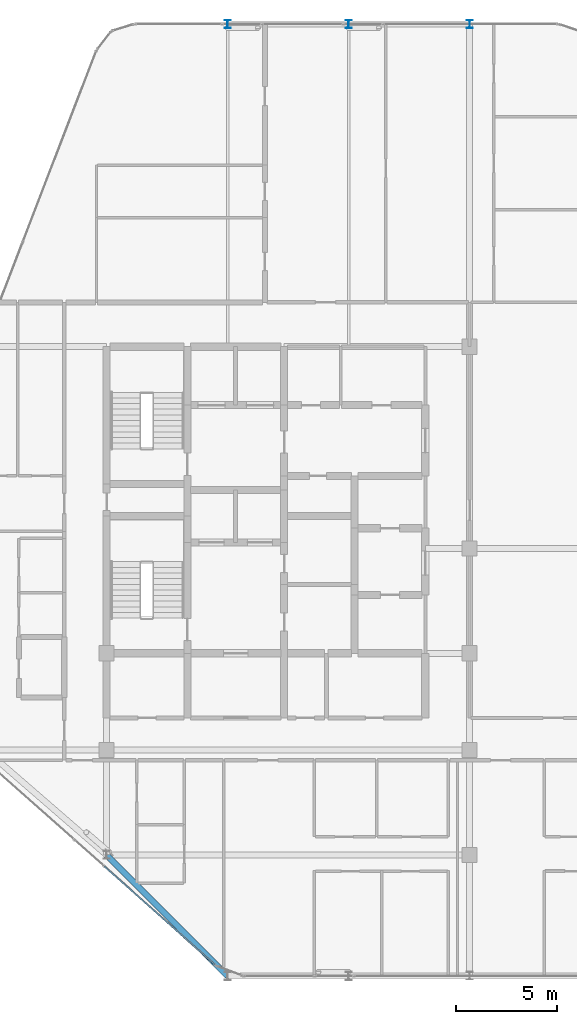
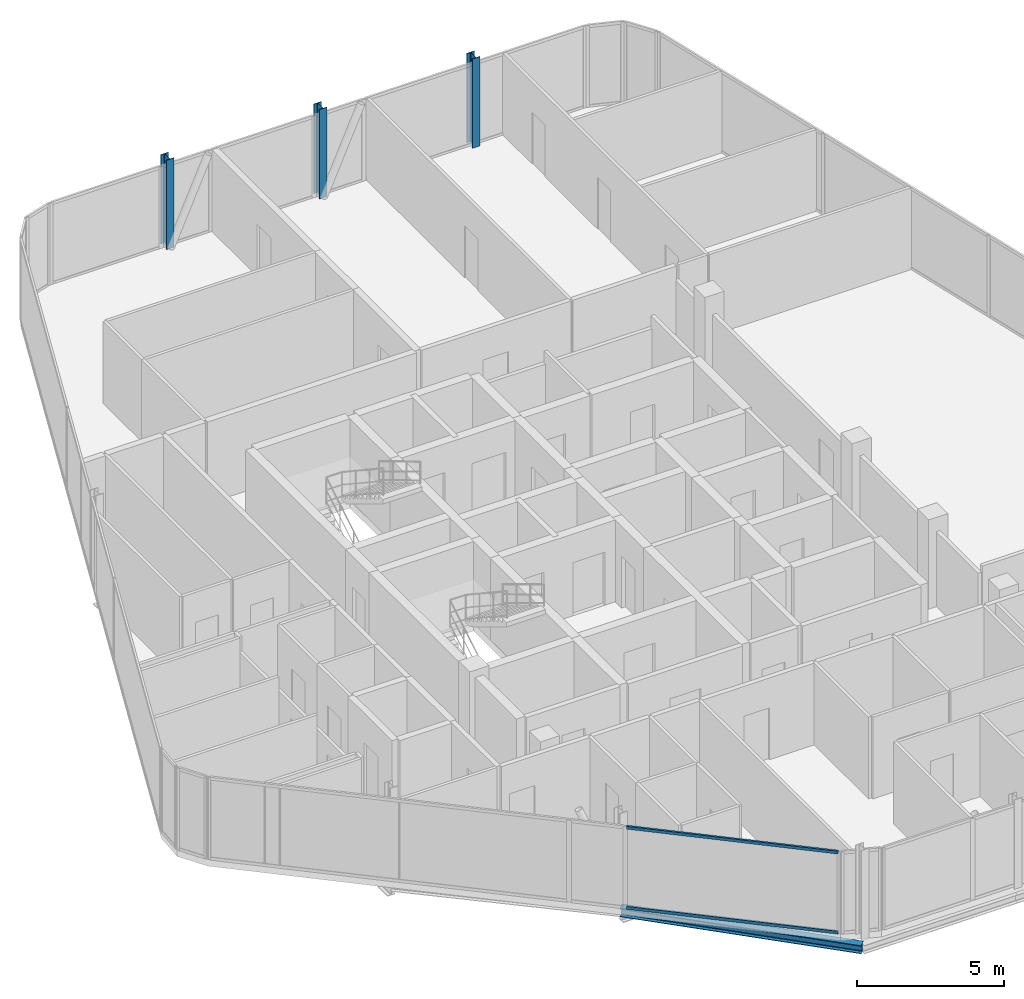
# One storey, part 2 of 27: 3 columns, 2 members, 1 beam, 1 element without a shape of its own.
"""IFC4 building model written with IfcOpenShell, lengths in metres."""

import ifcopenshell
import ifcopenshell.guid

model = None  # the IFC model being written
_history = None  # IfcOwnerHistory: only IFC2X3 demands one
_inside = {}  # id of a spatial element -> (the spatial element, [elements in it])
_under = {}  # id of a project, library or spatial element -> (it, [spatial elements below it])
_declared = {}  # id of a project -> (the project, [libraries it declares])
_typed = {}  # id of a type object -> (the type object, [elements of that type])
_made_of = {}  # id of a material, layer set ... -> (it, [elements and type objects made of it])


def new_model(schema):
    """Start an empty IFC model of exactly this schema.

    Asked for "IFC4X3", IfcOpenShell would pick the latest addendum, in which some entities
    have other attributes; the version numbers below select the first issue.
    IFC2X3 requires an IfcOwnerHistory on every rooted entity: one is made here for all.
    """
    global model, _history
    if schema == "IFC4X3":
        model = ifcopenshell.file(schema_version=(4, 3, 0, 0))
    else:
        model = ifcopenshell.file(schema=schema)
    _inside.clear()
    _under.clear()
    _declared.clear()
    _typed.clear()
    _made_of.clear()
    _history = None
    if model.schema == "IFC2X3":
        org = make("IfcOrganization", Name="unknown")
        user = make(
            "IfcPersonAndOrganization",
            ThePerson=make("IfcPerson", FamilyName="unknown"),
            TheOrganization=org,
        )
        app = make(
            "IfcApplication",
            ApplicationDeveloper=org,
            Version="unknown",
            ApplicationFullName="unknown",
            ApplicationIdentifier="unknown",
        )
        _history = make(
            "IfcOwnerHistory",
            OwningUser=user,
            OwningApplication=app,
            ChangeAction="ADDED",
            CreationDate=0,
        )
    return model


def make(cls, **values):
    """One entity of the class cls with the attributes given. An attribute that is None is left unset."""
    return model.create_entity(
        cls, **{name: value for name, value in values.items() if value is not None}
    )


def rooted(cls, **values):
    """An entity with a GlobalId (a new one), such as an element, a storey or a relation."""
    return make(cls, GlobalId=ifcopenshell.guid.new(), OwnerHistory=_history, **values)


def si_unit(unit_type, name, prefix=None):
    """IfcSIUnit, for example si_unit("LENGTHUNIT", "METRE", prefix="MILLI")."""
    return make("IfcSIUnit", UnitType=unit_type, Prefix=prefix, Name=name)


def assignment(units):
    """IfcUnitAssignment: the units of a project."""
    return None if units is None else make("IfcUnitAssignment", Units=units)


def point(xyz):
    """IfcCartesianPoint."""
    return None if xyz is None else make("IfcCartesianPoint", Coordinates=xyz)


def direction(xyz):
    """IfcDirection."""
    return None if xyz is None else make("IfcDirection", DirectionRatios=xyz)


def frame(location, z_axis=None, x_axis=None):
    """IfcAxis2Placement3D, a coordinate frame: its origin and axes. An axis left out is left unset."""
    return make(
        "IfcAxis2Placement3D",
        Location=point(location),
        Axis=direction(z_axis),
        RefDirection=direction(x_axis),
    )


def frame_2d(location, x_axis=None):
    """IfcAxis2Placement2D, a coordinate frame in the plane: its origin and x axis."""
    return make(
        "IfcAxis2Placement2D", Location=point(location), RefDirection=direction(x_axis)
    )


def origin():
    """The frame at (0, 0, 0) with its axes left unset."""
    return frame((0.0, 0.0, 0.0))


def origin_2d():
    """The frame at (0, 0) in the plane with its x axis left unset."""
    return frame_2d((0.0, 0.0))


def place(relative_to, where):
    """IfcLocalPlacement: puts the frame where relative to a parent placement (None: the world)."""
    return make(
        "IfcLocalPlacement", PlacementRelTo=relative_to, RelativePlacement=where
    )


def context(
    kind, dimensions, precision=None, world=None, true_north=None, identifier=None
):
    """IfcGeometricRepresentationContext, for example the 3D "Model" context."""
    return make(
        "IfcGeometricRepresentationContext",
        ContextIdentifier=identifier,
        ContextType=kind,
        CoordinateSpaceDimension=dimensions,
        Precision=precision,
        WorldCoordinateSystem=world,
        TrueNorth=true_north,
    )


def subcontext(parent, identifier, kind, view, scale=None):
    """IfcGeometricRepresentationSubContext, for example "Body" below "Model"."""
    return make(
        "IfcGeometricRepresentationSubContext",
        ContextIdentifier=identifier,
        ContextType=kind,
        ParentContext=parent,
        TargetScale=scale,
        TargetView=view,
    )


def project(units=None, contexts=None):
    """IfcProject with its units and contexts."""
    return rooted(
        "IfcProject",
        Name="project",
        RepresentationContexts=contexts,
        UnitsInContext=assignment(units),
    )


def spatial(cls, under=None, at=None, **own):
    """A site, building, storey or space (cls), placed at a placement, below another one or the project."""
    s = rooted(cls, ObjectPlacement=at, **own)
    if under is not None:
        _under.setdefault(under.id(), (under, []))[1].append(s)
    return s


def profile(cls, at=None, kind="AREA", **sizes):
    """A parametric profile (cls). Its sizes go by their IFC names, for example OverallWidth=200.0."""
    return make(cls, ProfileType=kind, Position=at, **sizes)


def hollow_rectangle(**sizes):
    """IfcRectangleHollowProfileDef."""
    return profile("IfcRectangleHollowProfileDef", **sizes)


def i_section(**sizes):
    """IfcIShapeProfileDef."""
    return profile("IfcIShapeProfileDef", **sizes)


def extrude(swept, where, along, depth):
    """IfcExtrudedAreaSolid: the profile swept, set in the frame where, extruded along a direction by depth."""
    return make(
        "IfcExtrudedAreaSolid",
        SweptArea=swept,
        Position=where,
        ExtrudedDirection=direction(along),
        Depth=depth,
    )


def shape(context_of_items, identifier, shape_type, items):
    """IfcShapeRepresentation: the items that make up one representation, for example the "Body"."""
    return make(
        "IfcShapeRepresentation",
        ContextOfItems=context_of_items,
        RepresentationIdentifier=identifier,
        RepresentationType=shape_type,
        Items=items,
    )


def material(Name=None, Category=None):
    """IfcMaterial."""
    return make("IfcMaterial", Name=Name, Category=Category)


def layer(
    of_material, thickness, ventilated=None, Name=None, Category=None, Priority=None
):
    """IfcMaterialLayer: one layer of a wall or slab, of a material (None: an air gap)."""
    return make(
        "IfcMaterialLayer",
        Material=of_material,
        LayerThickness=thickness,
        IsVentilated=ventilated,
        Name=Name,
        Category=Category,
        Priority=Priority,
    )


def layer_set(layers, Name=None):
    """IfcMaterialLayerSet."""
    return make("IfcMaterialLayerSet", MaterialLayers=layers, LayerSetName=Name)


def material_profile(
    of_material, cross_section, Name=None, Category=None, Priority=None
):
    """IfcMaterialProfile: a cross section and its material."""
    return make(
        "IfcMaterialProfile",
        Name=Name,
        Material=of_material,
        Profile=cross_section,
        Priority=Priority,
        Category=Category,
    )


def profile_set(profiles, Name=None, composite=None):
    """IfcMaterialProfileSet."""
    return make(
        "IfcMaterialProfileSet",
        Name=Name,
        MaterialProfiles=profiles,
        CompositeProfile=composite,
    )


def made_of(thing, what):
    """Note that an element or type object is made of a material, layer set ...; save() writes the relation."""
    if what is not None:
        _made_of.setdefault(what.id(), (what, []))[1].append(thing)
    return thing


def type_object(cls, material=None, **own):
    """A type object (cls), such as IfcWallType, which elements share."""
    return made_of(rooted(cls, **own), material)


def element(
    cls,
    number,
    at=None,
    inside=None,
    cuts=None,
    type_object=None,
    material=None,
    context=None,
    identifier="Body",
    shape_type=None,
    held_by="IfcProductDefinitionShape",
    body=None,
    shapes=None,
    **own,
):
    """One element of the class cls, such as IfcWall. Its Tag is "e" and its number.

    at: its placement. inside: the storey or other place that contains it. cuts: it is an
    opening in that element (IfcRelVoidsElement). A single representation is given by context,
    identifier, shape_type and body (its items); several are given by shapes. held_by: the class
    of the entity that holds the representations. save() writes the other relations.
    """
    e = rooted(cls, Tag="e%d" % number, ObjectPlacement=at, **own)
    if body is not None:
        shapes = [shape(context, identifier, shape_type, body)]
    if shapes is not None:
        e.Representation = make(held_by, Representations=shapes)
    if inside is not None:
        _inside.setdefault(inside.id(), (inside, []))[1].append(e)
    if cuts is not None:
        rooted(
            "IfcRelVoidsElement", RelatingBuildingElement=cuts, RelatedOpeningElement=e
        )
    if type_object is not None:
        _typed.setdefault(type_object.id(), (type_object, []))[1].append(e)
    return made_of(e, material)


def aggregate(whole, parts):
    """IfcRelAggregates: a whole, such as a stair, and the parts it consists of."""
    return rooted("IfcRelAggregates", RelatingObject=whole, RelatedObjects=parts)


def save(model, path):
    """Write the relations noted so far, then the file.

    IfcRelAggregates (storeys below a building ...), IfcRelContainedInSpatialStructure (elements
    in a storey), IfcRelDefinesByType, IfcRelAssociatesMaterial and IfcRelDeclares: one each for
    every whole, place, type object, material and project.
    """
    for whole, parts in _under.values():
        aggregate(whole, parts)
    for where, things in _inside.values():
        rooted(
            "IfcRelContainedInSpatialStructure",
            RelatedElements=things,
            RelatingStructure=where,
        )
    for kind, things in _typed.values():
        rooted("IfcRelDefinesByType", RelatedObjects=things, RelatingType=kind)
    for what, things in _made_of.values():
        rooted("IfcRelAssociatesMaterial", RelatedObjects=things, RelatingMaterial=what)
    for by, libraries in _declared.values():
        rooted("IfcRelDeclares", RelatingContext=by, RelatedDefinitions=libraries)
    model.write(path)


model = new_model("IFC4")

# Units and contexts
model_context = context("Model", 3, precision=1e-05, world=origin(), true_north=direction((0.0, 1.0)))
body_context = subcontext(model_context, "Body", "Model", "MODEL_VIEW")
ifc_project = project(units=[si_unit("LENGTHUNIT", "METRE"), si_unit("AREAUNIT", "SQUARE_METRE"), si_unit("VOLUMEUNIT", "CUBIC_METRE"), si_unit("PLANEANGLEUNIT", "RADIAN"), si_unit("MASSUNIT", "GRAM", prefix="KILO")], contexts=[model_context])

# Site, building, storey
site_placement = place(None, origin())
site = spatial("IfcSite", under=ifc_project, at=site_placement, CompositionType="ELEMENT")
building_placement = place(site_placement, origin())
building = spatial("IfcBuilding", under=site, at=building_placement, Name="Keshet Zoharim Tower", CompositionType="ELEMENT")
storey_placement = place(building_placement, frame((0.0, 0.0, 247.300048828125)))
storey = spatial("IfcBuildingStorey", under=building, at=storey_placement, Name="L61", CompositionType="ELEMENT", Elevation=247.300048828125)

# Columns
ifc_material_1 = material(Name="Steel S355", Category="steel")
ifc_material_profile_1 = material_profile(ifc_material_1, i_section(OverallWidth=0.300048828125, OverallDepth=0.39990234375, WebThickness=0.013427734375, FlangeThickness=0.02392578125, FilletRadius=0.027099609375, at=origin_2d()), Name="HEB400")
ifc_profile_set_1 = profile_set([ifc_material_profile_1], Name="Steel S355")
column_type = type_object("IfcColumnType", Name="COL-HEB400", PredefinedType="COLUMN", material=ifc_profile_set_1)
for number, where, z_axis, x_axis, name in (
    (1, (21.0, 53.89990234375, 0.0), (0.0, 0.0, 1.0), (1.0, 0.0, 0.0), "L61 Column 4L"),
    (2, (27.0, 53.89990234375, 0.0), (0.0, 0.0, 1.0), (1.0, 0.0, 0.0), "L61 Column 5L"),
    (3, (33.0, 53.89990234375, 0.0), (0.0, 0.0, 1.0), (1.0, 0.0, 0.0), "L61 Column 6L"),
):
    element("IfcColumn", number, at=place(storey_placement, frame(where, z_axis=z_axis, x_axis=x_axis)), inside=storey, type_object=column_type, Name=name, PredefinedType="COLUMN", context=body_context, shape_type="SweptSolid", body=[
        extrude(i_section(OverallWidth=0.300048828125, OverallDepth=0.39990234375, WebThickness=0.013427734375, FlangeThickness=0.02392578125, FilletRadius=0.027099609375, at=origin_2d()), origin(), (0.0, 0.0, 1.0), 3.699951171875),
    ])

# Beam
ifc_material_profile_2 = material_profile(ifc_material_1, i_section(OverallWidth=0.300048828125, OverallDepth=0.340087890625, WebThickness=0.011962890625, FlangeThickness=0.021484375, FilletRadius=0.027099609375, at=origin_2d()), Name="HEB340")
ifc_profile_set_2 = profile_set([ifc_material_profile_2], Name="Steel S355")
beam_type = type_object("IfcBeamType", Name="BM-SPN-HB340", PredefinedType="SPANDREL", material=ifc_profile_set_2)
beam_placement = place(storey_placement, frame((21.0, 6.699951171875, -0.47998046875), z_axis=(-0.707106781187, 0.707106781187, 0.0), x_axis=(-0.707106781187, -0.707106781187, 0.0)))
element("IfcBeam", 4, at=beam_placement, inside=storey, type_object=beam_type, Name="L61 Perimeter Spandrel Beam 01", PredefinedType="SPANDREL", context=body_context, shape_type="SweptSolid", body=[
    extrude(i_section(OverallWidth=0.300048828125, OverallDepth=0.340087890625, WebThickness=0.011962890625, FlangeThickness=0.021484375, FilletRadius=0.027099609375, at=origin_2d()), origin(), (0.0, 0.0, 1.0), 8.4853515625),
])

# Curtain wall, members
ifc_material_2 = material(Name="Aluminium 6063-T6", Category="aluminium")
ifc_layer = layer(ifc_material_2, 0.260009765625)
ifc_layer_set = layer_set([ifc_layer], Name="Aluminium 6063-T6")
curtain_wall_type = type_object("IfcCurtainWallType", Name="CW-SYS-06", PredefinedType="NOTDEFINED", material=ifc_layer_set)
curtain_wall_placement = place(storey_placement, origin())
curtain_wall = element("IfcCurtainWall", 5, at=curtain_wall_placement, inside=storey, type_object=curtain_wall_type, Name="L61 Unitised Curtain Wall 16", PredefinedType="NOTDEFINED")
ifc_material_profile_3 = material_profile(ifc_material_2, hollow_rectangle(XDim=0.074951171875, YDim=0.1201171875, WallThickness=0.00390625, at=origin_2d()), Name="TRN-75x120")
ifc_profile_set_3 = profile_set([ifc_material_profile_3], Name="Aluminium 6063-T6")
member_type = type_object("IfcMemberType", Name="CWT-T12", PredefinedType="USERDEFINED", material=ifc_profile_set_3)
member_1_placement = place(storey_placement, frame((20.379638671875, 7.25146484375, 0.034912109375), z_axis=(-0.747412985939, 0.664359713145, 0.0), x_axis=(-0.664359713145, -0.747412985939, 0.0)))
member_1 = element("IfcMember", 6, at=member_1_placement, type_object=member_type, Name="CW-06 transom 1.1", ObjectType="TRANSOM", PredefinedType="USERDEFINED", context=body_context, shape_type="SweptSolid", body=[
    extrude(hollow_rectangle(XDim=0.074951171875, YDim=0.1201171875, WallThickness=0.00390625, at=origin_2d()), origin(), (0.0, 0.0, 1.0), 7.345947265625),
])
member_2_placement = place(storey_placement, frame((20.379638671875, 7.25146484375, 3.35498046875), z_axis=(-0.747412985939, 0.664359713145, 0.0), x_axis=(-0.664359713145, -0.747412985939, 0.0)))
member_2 = element("IfcMember", 7, at=member_2_placement, type_object=member_type, Name="CW-06 transom 1.2", ObjectType="TRANSOM", PredefinedType="USERDEFINED", context=body_context, shape_type="SweptSolid", body=[
    extrude(hollow_rectangle(XDim=0.074951171875, YDim=0.1201171875, WallThickness=0.00390625, at=origin_2d()), origin(), (0.0, 0.0, 1.0), 7.345947265625),
])
aggregate(curtain_wall, [member_1, member_2])

save(model, "model.ifc")
